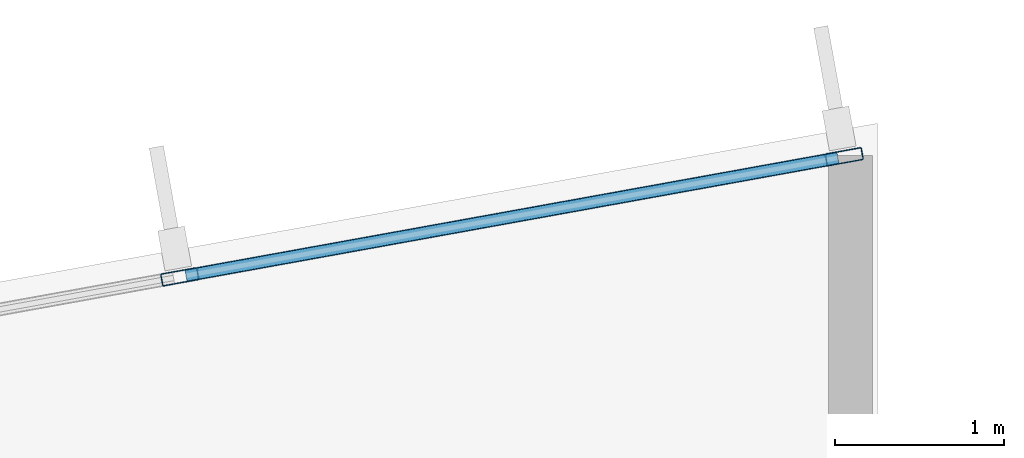
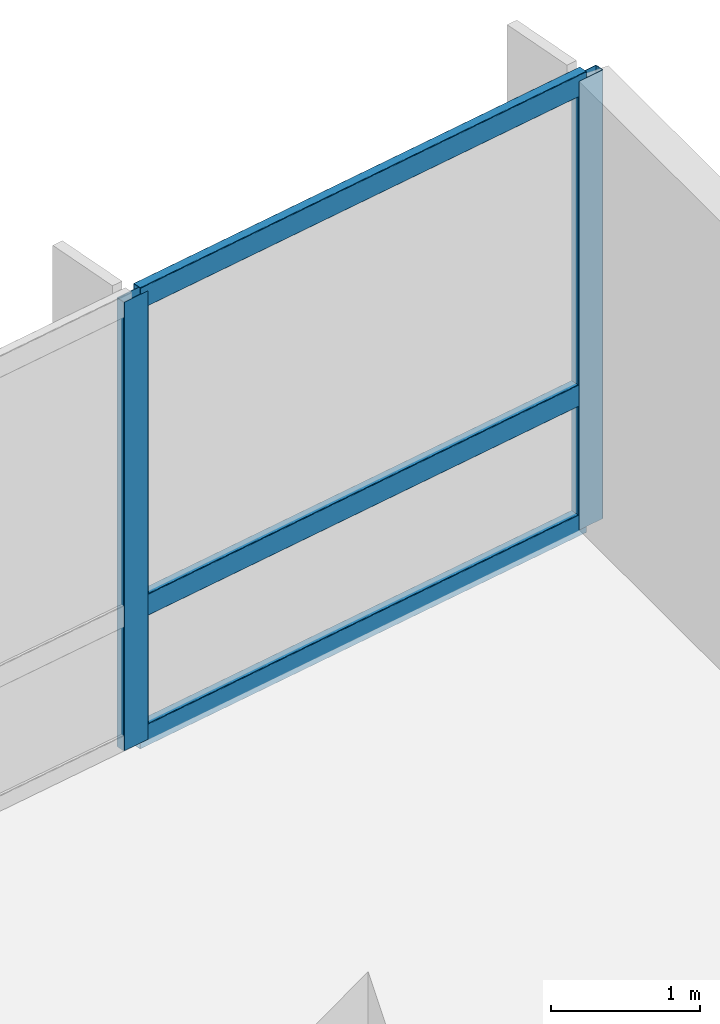
# One storey, part 8 of 19: 5 members, 1 element without a shape of its own.
"""IFC4 building model written with IfcOpenShell, lengths in metres."""

from ifc_helpers import new_model, si_unit, direction, frame, origin, origin_2d, place, context, subcontext, project, spatial, hollow_rectangle, extrude, material, layer, layer_set, material_profile, profile_set, type_object, element, aggregate, save


model = new_model("IFC4")

# Units and contexts
model_context = context("Model", 3, precision=1e-05, world=origin(), true_north=direction((0.0, 1.0)))
body_context = subcontext(model_context, "Body", "Model", "MODEL_VIEW")
ifc_project = project(units=[si_unit("LENGTHUNIT", "METRE"), si_unit("AREAUNIT", "SQUARE_METRE"), si_unit("VOLUMEUNIT", "CUBIC_METRE"), si_unit("PLANEANGLEUNIT", "RADIAN"), si_unit("MASSUNIT", "GRAM", prefix="KILO")], contexts=[model_context])

# Site, building, storey
site_placement = place(None, origin())
site = spatial("IfcSite", under=ifc_project, at=site_placement, CompositionType="ELEMENT")
building_placement = place(site_placement, origin())
building = spatial("IfcBuilding", under=site, at=building_placement, Name="Varnakote Quay Hospital", CompositionType="ELEMENT")
storey_placement = place(building_placement, frame((0.0, 0.0, 93.60009765625)))
storey = spatial("IfcBuildingStorey", under=building, at=storey_placement, Name="L23", CompositionType="ELEMENT", Elevation=93.60009765625)

# Curtain wall, members
ifc_material_1 = material(Name="Anodised aluminium 6063-T6 Bronze", Category="aluminium")
ifc_layer = layer(ifc_material_1, 0.18994140625)
ifc_layer_set = layer_set([ifc_layer], Name="Anodised aluminium 6063-T6 Bronze")
curtain_wall_type = type_object("IfcCurtainWallType", Name="CW-SYS-2", PredefinedType="NOTDEFINED", material=ifc_layer_set)
curtain_wall_placement = place(storey_placement, origin())
curtain_wall = element("IfcCurtainWall", 1, at=curtain_wall_placement, inside=storey, type_object=curtain_wall_type, Name="L23 Unitised Bronze Curtain Wall 1", PredefinedType="NOTDEFINED")
ifc_material_2 = material(Name="Anodised aluminium 6063-T6 Bronze", Category="aluminium")
ifc_material_profile_1 = material_profile(ifc_material_2, hollow_rectangle(XDim=0.074951171875, YDim=0.219970703125, WallThickness=0.00439453125, InnerFilletRadius=0.00439453125, OuterFilletRadius=0.009033203125, at=origin_2d()), Name="CW-MULL-220x75")
ifc_profile_set_1 = profile_set([ifc_material_profile_1], Name="Anodised aluminium 6063-T6 Bronze")
member_type_1 = type_object("IfcMemberType", Name="CW-MULL-220x75", PredefinedType="MULLION", material=ifc_profile_set_1)
member_1_placement = place(storey_placement, frame((55.403076171875, 34.201904296875, 0.0), z_axis=(0.0, 0.0, 1.0), x_axis=(0.177846199098, -0.984058295766, 0.0)))
member_1 = element("IfcMember", 2, at=member_1_placement, type_object=member_type_1, Name="-2-L23-1 mullion 1", PredefinedType="MULLION", context=body_context, shape_type="SweptSolid", body=[
    extrude(hollow_rectangle(XDim=0.074951171875, YDim=0.219970703125, WallThickness=0.00439453125, InnerFilletRadius=0.00439453125, OuterFilletRadius=0.009033203125, at=origin_2d()), origin(), (0.0, 0.0, 1.0), 3.669921875),
])
member_2_placement = place(storey_placement, frame((51.477294921875, 33.492431640625, 0.0), z_axis=(0.0, 0.0, 1.0), x_axis=(0.177846199098, -0.984058295766, 0.0)))
member_2 = element("IfcMember", 3, at=member_2_placement, type_object=member_type_1, Name="-2-L23-1 mullion 2", PredefinedType="MULLION", context=body_context, shape_type="SweptSolid", body=[
    extrude(hollow_rectangle(XDim=0.074951171875, YDim=0.219970703125, WallThickness=0.00439453125, InnerFilletRadius=0.00439453125, OuterFilletRadius=0.009033203125, at=origin_2d()), origin(), (0.0, 0.0, 1.0), 3.669921875),
])
ifc_material_3 = material(Name="Anodised aluminium 6063-T6 Bronze", Category="aluminium")
ifc_material_profile_2 = material_profile(ifc_material_3, hollow_rectangle(XDim=0.074951171875, YDim=0.179931640625, WallThickness=0.004150390625, InnerFilletRadius=0.004150390625, OuterFilletRadius=0.00830078125, at=origin_2d()), Name="CW-TRAN-180x75")
ifc_profile_set_2 = profile_set([ifc_material_profile_2], Name="Anodised aluminium 6063-T6 Bronze")
member_type_2 = type_object("IfcMemberType", Name="CW-TRAN-180x75", PredefinedType="USERDEFINED", material=ifc_profile_set_2)
member_3_placement = place(storey_placement, frame((55.3662109375, 34.195068359375, 0.037353515625), z_axis=(-0.984061948229, -0.177825988109, 0.0), x_axis=(0.177825988109, -0.984061948229, 0.0)))
member_3 = element("IfcMember", 4, at=member_3_placement, type_object=member_type_2, Name="-2-L23-1 transom 1.1", ObjectType="TRANSOM", PredefinedType="USERDEFINED", context=body_context, shape_type="SweptSolid", body=[
    extrude(hollow_rectangle(XDim=0.074951171875, YDim=0.179931640625, WallThickness=0.004150390625, InnerFilletRadius=0.004150390625, OuterFilletRadius=0.00830078125, at=origin_2d()), origin(), (0.0, 0.0, 1.0), 3.914306640625),
])
member_4_placement = place(storey_placement, frame((55.3662109375, 34.195068359375, 1.099853515625), z_axis=(-0.984061948229, -0.177825988109, 0.0), x_axis=(0.177825988109, -0.984061948229, 0.0)))
member_4 = element("IfcMember", 5, at=member_4_placement, type_object=member_type_2, Name="-2-L23-1 transom 1.2", ObjectType="TRANSOM", PredefinedType="USERDEFINED", context=body_context, shape_type="SweptSolid", body=[
    extrude(hollow_rectangle(XDim=0.074951171875, YDim=0.179931640625, WallThickness=0.004150390625, InnerFilletRadius=0.004150390625, OuterFilletRadius=0.00830078125, at=origin_2d()), origin(), (0.0, 0.0, 1.0), 3.914306640625),
])
member_5_placement = place(storey_placement, frame((55.3662109375, 34.195068359375, 3.63232421875), z_axis=(-0.984061948229, -0.177825988109, 0.0), x_axis=(0.177825988109, -0.984061948229, 0.0)))
member_5 = element("IfcMember", 6, at=member_5_placement, type_object=member_type_2, Name="-2-L23-1 transom 1.3", ObjectType="TRANSOM", PredefinedType="USERDEFINED", context=body_context, shape_type="SweptSolid", body=[
    extrude(hollow_rectangle(XDim=0.074951171875, YDim=0.179931640625, WallThickness=0.004150390625, InnerFilletRadius=0.004150390625, OuterFilletRadius=0.00830078125, at=origin_2d()), origin(), (0.0, 0.0, 1.0), 3.914306640625),
])
aggregate(curtain_wall, [member_1, member_2, member_3, member_4, member_5])

save(model, "model.ifc")
